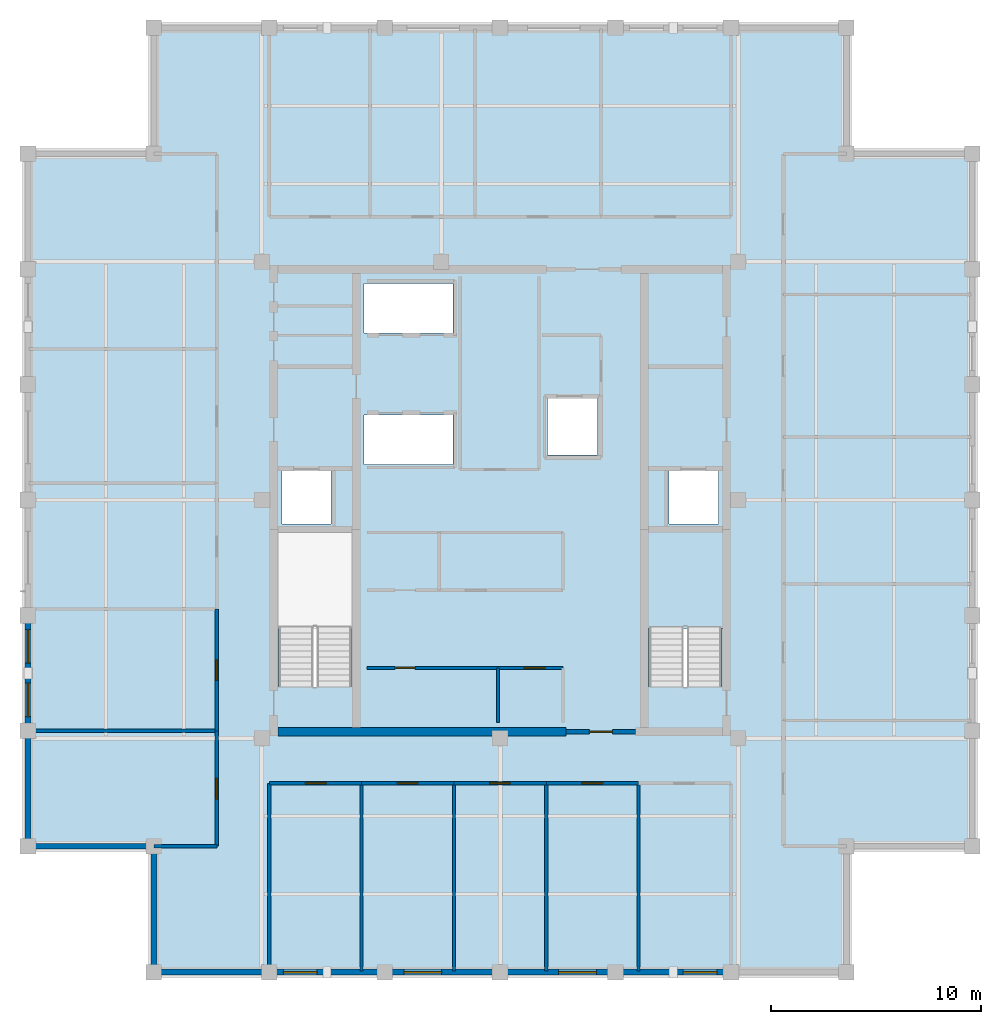
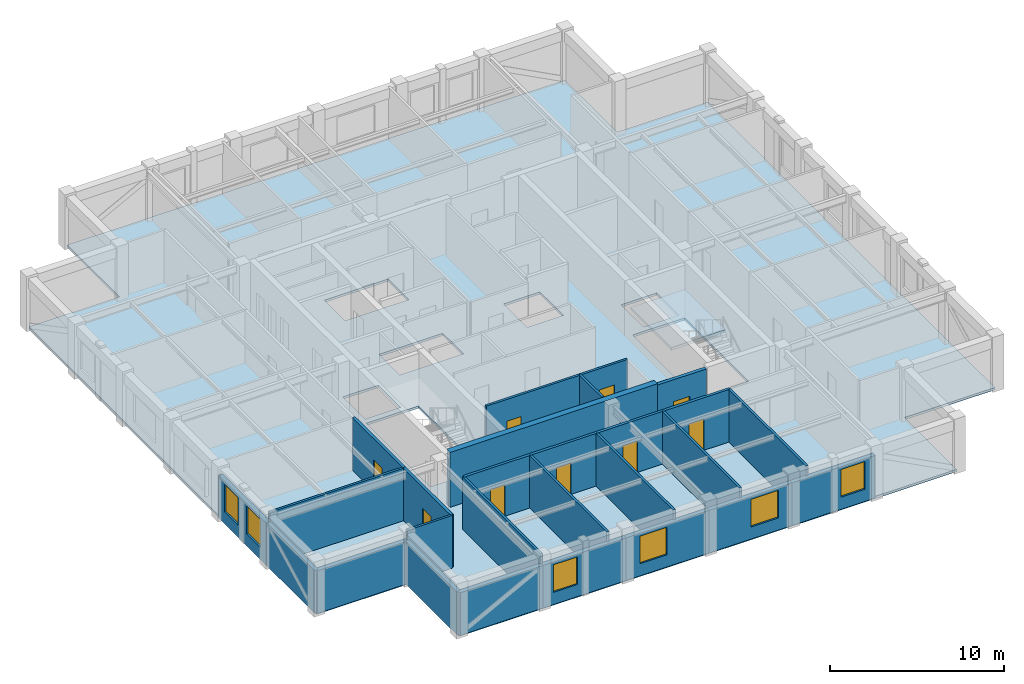
# One storey, part 3 of 8: 26 walls, 9 doors, 6 windows, 2 slabs, 15 openings, 1 element without a shape of its own.
"""IFC4 building model written with IfcOpenShell, lengths in metres."""

from ifc_helpers import new_model, si_unit, direction, frame, frame_2d, origin, place, context, subcontext, project, spatial, polyline, rectangle, outline, extrude, material, layer, layer_set, type_object, element, fill, aggregate, save


model = new_model("IFC4")

# Units and contexts
model_context = context("Model", 3, precision=1e-05, world=origin(), true_north=direction((0.0, 1.0)))
body_context = subcontext(model_context, "Body", "Model", "MODEL_VIEW")
ifc_project = project(units=[si_unit("LENGTHUNIT", "METRE"), si_unit("AREAUNIT", "SQUARE_METRE"), si_unit("VOLUMEUNIT", "CUBIC_METRE"), si_unit("PLANEANGLEUNIT", "RADIAN"), si_unit("MASSUNIT", "GRAM", prefix="KILO")], contexts=[model_context])

# Site, building, storey
site_placement = place(None, origin())
site = spatial("IfcSite", under=ifc_project, at=site_placement, CompositionType="ELEMENT")
building_placement = place(site_placement, origin())
building = spatial("IfcBuilding", under=site, at=building_placement, Name="Nhamokura Convention Tower", CompositionType="ELEMENT")
storey_placement = place(building_placement, frame((0.0, 0.0, 292.949951171875)))
storey = spatial("IfcBuildingStorey", under=building, at=storey_placement, Name="L72", CompositionType="ELEMENT", Elevation=292.949951171875)

# Slab
ifc_material_1 = material(Name="Concrete C40/50", Category="concrete")
ifc_layer_1 = layer(ifc_material_1, 0.1650390625)
ifc_layer_set_1 = layer_set([ifc_layer_1], Name="OfficeFloorSlab_165")
slab_type_1 = type_object("IfcSlabType", Name="OfficeFloorSlab_165", PredefinedType="FLOOR", material=ifc_layer_set_1)
slab_1_placement = place(storey_placement, frame((0.0, 0.0, -0.1650390625)))
element("IfcSlab", 1, at=slab_1_placement, inside=storey, type_object=slab_type_1, Name="L72 Structural Floor Slab", PredefinedType="FLOOR", context=body_context, shape_type="SweptSolid", body=[
    extrude(outline(polyline([(15.5, 9.5), (48.5, 9.5), (48.5, 15.5), (54.5, 15.5), (54.5, 48.5), (48.5, 48.5), (48.5, 54.5), (15.5, 54.5), (15.5, 48.5), (9.5, 48.5), (9.5, 15.5), (15.5, 15.5), (15.5, 9.5)]), holes=[polyline([(24.89990234375, 23.10009765625), (24.89990234375, 30.449951171875), (21.449951171875, 30.449951171875), (21.449951171875, 23.10009765625), (24.89990234375, 23.10009765625)]), polyline([(42.550048828125, 23.10009765625), (42.550048828125, 30.449951171875), (39.10009765625, 30.449951171875), (39.10009765625, 23.10009765625), (42.550048828125, 23.10009765625)]), polyline([(21.60009765625, 30.85009765625), (23.949951171875, 30.85009765625), (23.949951171875, 33.39990234375), (21.60009765625, 33.39990234375), (21.60009765625, 30.85009765625)]), polyline([(40.050048828125, 30.85009765625), (42.39990234375, 30.85009765625), (42.39990234375, 33.39990234375), (40.050048828125, 33.39990234375), (40.050048828125, 30.85009765625)]), polyline([(34.25, 34.14990234375), (36.64990234375, 34.14990234375), (36.64990234375, 36.85009765625), (34.25, 36.85009765625), (34.25, 34.14990234375)]), polyline([(25.52001953125, 33.679931640625), (29.75, 33.679931640625), (29.75, 36.050048828125), (25.52001953125, 36.050048828125), (25.52001953125, 33.679931640625)]), polyline([(25.52001953125, 39.949951171875), (29.75, 39.949951171875), (29.75, 42.320068359375), (25.52001953125, 42.320068359375), (25.52001953125, 39.949951171875)])]), origin(), (0.0, 0.0, 1.0), 0.1650390625),
])

# Stair, slab
ifc_material_2 = material(Name="Concrete C40/50", Category="concrete")
stair_type = type_object("IfcStairType", Name="TowerCoreStair_1650", PredefinedType="HALF_TURN_STAIR", material=ifc_material_2)
stair_placement = place(storey_placement, origin())
stair = element("IfcStair", 2, at=stair_placement, inside=storey, type_object=stair_type, Name="L72 East Core Smokeproof Stair ST-02", PredefinedType="HALF_TURN_STAIR")
ifc_material_3 = material(Name="Concrete C40/50", Category="concrete")
ifc_layer_2 = layer(ifc_material_3, 0.199951171875)
ifc_layer_set_2 = layer_set([ifc_layer_2], Name="StairLandingSlab_200")
slab_type_2 = type_object("IfcSlabType", Name="StairLandingSlab_200", PredefinedType="LANDING", material=ifc_layer_set_2)
slab_2_placement = place(storey_placement, frame((0.0, 0.0, 1.72509765625)))
slab_2 = element("IfcSlab", 3, at=slab_2_placement, type_object=slab_type_2, Name="ST-02 landing 1", PredefinedType="LANDING", context=body_context, shape_type="SweptSolid", body=[
    extrude(outline(polyline([(42.6298828125, 25.8701171875), (42.6298828125, 30.530029296875), (39.02001953125, 30.530029296875), (39.02001953125, 25.8701171875), (42.6298828125, 25.8701171875)])), origin(), (0.0, 0.0, 1.0), 0.199951171875),
])
aggregate(stair, [slab_2])

# Wall
ifc_material_4 = material(Name="Bronze-pigmented precast concrete C45/55", Category="concrete")
ifc_layer_3 = layer(ifc_material_4, 0.280029296875)
ifc_layer_set_3 = layer_set([ifc_layer_3], Name="BronzePrecastSpandrel_280")
wall_type_1 = type_object("IfcWallType", Name="BronzePrecastSpandrel_280", PredefinedType="USERDEFINED", material=ifc_layer_set_3)
wall_1_placement = place(storey_placement, frame((21.0, 9.5, 0.0), z_axis=(0.0, 0.0, 1.0), x_axis=(-1.0, 0.0, 0.0)))
element("IfcWall", 4, at=wall_1_placement, inside=storey, type_object=wall_type_1, Name="L72 Braced-Bay Precast Wall SOUTH 0", ObjectType="SPANDREL_WALL", PredefinedType="USERDEFINED", context=body_context, shape_type="SweptSolid", body=[
    extrude(rectangle(XDim=5.5, YDim=0.280029296875, at=frame_2d((2.75, 0.0))), origin(), (0.0, 0.0, 1.0), 2.985107421875),
])

# Wall, opening, window
wall_2_placement = place(storey_placement, frame((26.5, 9.5, 0.0), z_axis=(0.0, 0.0, 1.0), x_axis=(-1.0, 0.0, 0.0)))
wall_2 = element("IfcWall", 5, at=wall_2_placement, inside=storey, type_object=wall_type_1, Name="L72 Masonry-Frame Wall SOUTH 1", ObjectType="SPANDREL_WALL", PredefinedType="USERDEFINED", context=body_context, shape_type="SweptSolid", body=[
    extrude(rectangle(XDim=5.5, YDim=0.280029296875, at=frame_2d((2.75, 0.0))), origin(), (0.0, 0.0, 1.0), 2.985107421875),
])
opening_1_placement = place(wall_2_placement, frame((3.22509765625, 0.0, 0.85009765625)))
opening_1 = element("IfcOpeningElement", 6, at=opening_1_placement, cuts=wall_2, Name="Opening W-11", PredefinedType="OPENING", context=body_context, shape_type="SweptSolid", body=[
    extrude(rectangle(XDim=1.60009765625, YDim=1.93505859375, at=frame_2d((0.800048828125, 0.967529296875))), frame((0.0, 0.14990234375, 0.0), z_axis=(0.0, -1.0, 0.0), x_axis=(1.0, 0.0, 0.0)), (0.0, 0.0, 1.0), 0.300048828125),
])
ifc_material_5 = material(Name="Solar-control bronze low-E double glass", Category="glass")
window_type_1 = type_object("IfcWindowType", Name="NotchCornerWindow_1600", PartitioningType="SINGLE_PANEL", PredefinedType="WINDOW", material=ifc_material_5)
window_1_placement = place(opening_1_placement, origin())
window_1 = element("IfcWindow", 7, at=window_1_placement, inside=storey, type_object=window_type_1, Name="L72 Facade Window SOUTH 1-3", OverallHeight=1.93505859375, OverallWidth=1.60009765625, PartitioningType="SINGLE_PANEL", PredefinedType="WINDOW", context=body_context, shape_type="SweptSolid", body=[
    extrude(rectangle(XDim=1.60009765625, YDim=1.93505859375, at=frame_2d((0.800048828125, 0.967529296875))), frame((0.0, 0.030029296875, 0.0), z_axis=(0.0, -1.0, 0.0), x_axis=(1.0, 0.0, 0.0)), (0.0, 0.0, 1.0), 0.06005859375),
])
fill(opening_1, window_1)

wall_3_placement = place(storey_placement, frame((32.0, 9.5, 0.0), z_axis=(0.0, 0.0, 1.0), x_axis=(-1.0, 0.0, 0.0)))
wall_3 = element("IfcWall", 8, at=wall_3_placement, inside=storey, type_object=wall_type_1, Name="L72 Masonry-Frame Wall SOUTH 2", ObjectType="SPANDREL_WALL", PredefinedType="USERDEFINED", context=body_context, shape_type="SweptSolid", body=[
    extrude(rectangle(XDim=5.5, YDim=0.280029296875, at=frame_2d((2.75, 0.0))), origin(), (0.0, 0.0, 1.0), 2.985107421875),
])
opening_2_placement = place(wall_3_placement, frame((2.78759765625, 0.0, 0.85009765625)))
opening_2 = element("IfcOpeningElement", 9, at=opening_2_placement, cuts=wall_3, Name="Opening W-10", PredefinedType="OPENING", context=body_context, shape_type="SweptSolid", body=[
    extrude(rectangle(XDim=1.800048828125, YDim=1.93505859375, at=frame_2d((0.89990234375, 0.967529296875))), frame((0.0, 0.14990234375, 0.0), z_axis=(0.0, -1.0, 0.0), x_axis=(1.0, 0.0, 0.0)), (0.0, 0.0, 1.0), 0.300048828125),
])
ifc_material_6 = material(Name="Solar-control bronze low-E double glass", Category="glass")
window_type_2 = type_object("IfcWindowType", Name="SummitWindow_Z4_1800", PartitioningType="SINGLE_PANEL", PredefinedType="WINDOW", material=ifc_material_6)
window_2_placement = place(opening_2_placement, origin())
window_2 = element("IfcWindow", 10, at=window_2_placement, inside=storey, type_object=window_type_2, Name="L72 Facade Window SOUTH 2-2", OverallHeight=1.93505859375, OverallWidth=1.800048828125, PartitioningType="SINGLE_PANEL", PredefinedType="WINDOW", context=body_context, shape_type="SweptSolid", body=[
    extrude(rectangle(XDim=1.800048828125, YDim=1.93505859375, at=frame_2d((0.89990234375, 0.967529296875))), frame((0.0, 0.030029296875, 0.0), z_axis=(0.0, -1.0, 0.0), x_axis=(1.0, 0.0, 0.0)), (0.0, 0.0, 1.0), 0.06005859375),
])
fill(opening_2, window_2)

wall_4_placement = place(storey_placement, frame((37.5, 9.5, 0.0), z_axis=(0.0, 0.0, 1.0), x_axis=(-1.0, 0.0, 0.0)))
wall_4 = element("IfcWall", 11, at=wall_4_placement, inside=storey, type_object=wall_type_1, Name="L72 Masonry-Frame Wall SOUTH 3", ObjectType="SPANDREL_WALL", PredefinedType="USERDEFINED", context=body_context, shape_type="SweptSolid", body=[
    extrude(rectangle(XDim=5.5, YDim=0.280029296875, at=frame_2d((2.75, 0.0))), origin(), (0.0, 0.0, 1.0), 2.985107421875),
])
opening_3_placement = place(wall_4_placement, frame((0.91259765625, 0.0, 0.85009765625)))
opening_3 = element("IfcOpeningElement", 12, at=opening_3_placement, cuts=wall_4, Name="Opening W-10", PredefinedType="OPENING", context=body_context, shape_type="SweptSolid", body=[
    extrude(rectangle(XDim=1.800048828125, YDim=1.93505859375, at=frame_2d((0.89990234375, 0.967529296875))), frame((0.0, 0.14990234375, 0.0), z_axis=(0.0, -1.0, 0.0), x_axis=(1.0, 0.0, 0.0)), (0.0, 0.0, 1.0), 0.300048828125),
])
window_3_placement = place(opening_3_placement, origin())
window_3 = element("IfcWindow", 13, at=window_3_placement, inside=storey, type_object=window_type_2, Name="L72 Facade Window SOUTH 3-1", OverallHeight=1.93505859375, OverallWidth=1.800048828125, PartitioningType="SINGLE_PANEL", PredefinedType="WINDOW", context=body_context, shape_type="SweptSolid", body=[
    extrude(rectangle(XDim=1.800048828125, YDim=1.93505859375, at=frame_2d((0.89990234375, 0.967529296875))), frame((0.0, 0.030029296875, 0.0), z_axis=(0.0, -1.0, 0.0), x_axis=(1.0, 0.0, 0.0)), (0.0, 0.0, 1.0), 0.06005859375),
])
fill(opening_3, window_3)

wall_5_placement = place(storey_placement, frame((43.0, 9.5, 0.0), z_axis=(0.0, 0.0, 1.0), x_axis=(-1.0, 0.0, 0.0)))
wall_5 = element("IfcWall", 14, at=wall_5_placement, inside=storey, type_object=wall_type_1, Name="L72 Masonry-Frame Wall SOUTH 4", ObjectType="SPANDREL_WALL", PredefinedType="USERDEFINED", context=body_context, shape_type="SweptSolid", body=[
    extrude(rectangle(XDim=5.5, YDim=0.280029296875, at=frame_2d((2.75, 0.0))), origin(), (0.0, 0.0, 1.0), 2.985107421875),
])
opening_4_placement = place(wall_5_placement, frame((0.675048828125, 0.0, 0.85009765625)))
opening_4 = element("IfcOpeningElement", 15, at=opening_4_placement, cuts=wall_5, Name="Opening W-11", PredefinedType="OPENING", context=body_context, shape_type="SweptSolid", body=[
    extrude(rectangle(XDim=1.60009765625, YDim=1.93505859375, at=frame_2d((0.800048828125, 0.967529296875))), frame((0.0, 0.14990234375, 0.0), z_axis=(0.0, -1.0, 0.0), x_axis=(1.0, 0.0, 0.0)), (0.0, 0.0, 1.0), 0.300048828125),
])
window_4_placement = place(opening_4_placement, origin())
window_4 = element("IfcWindow", 16, at=window_4_placement, inside=storey, type_object=window_type_1, Name="L72 Facade Window SOUTH 4-1", OverallHeight=1.93505859375, OverallWidth=1.60009765625, PartitioningType="SINGLE_PANEL", PredefinedType="WINDOW", context=body_context, shape_type="SweptSolid", body=[
    extrude(rectangle(XDim=1.60009765625, YDim=1.93505859375, at=frame_2d((0.800048828125, 0.967529296875))), frame((0.0, 0.030029296875, 0.0), z_axis=(0.0, -1.0, 0.0), x_axis=(1.0, 0.0, 0.0)), (0.0, 0.0, 1.0), 0.06005859375),
])
fill(opening_4, window_4)

# Wall
wall_6_placement = place(storey_placement, frame((9.5, 15.5, 0.0), z_axis=(0.0, 0.0, 1.0), x_axis=(0.0, 1.0, 0.0)))
element("IfcWall", 17, at=wall_6_placement, inside=storey, type_object=wall_type_1, Name="L72 Braced-Bay Precast Wall WEST 0", ObjectType="SPANDREL_WALL", PredefinedType="USERDEFINED", context=body_context, shape_type="SweptSolid", body=[
    extrude(rectangle(XDim=5.5, YDim=0.280029296875, at=frame_2d((2.75, 0.0))), origin(), (0.0, 0.0, 1.0), 2.985107421875),
])

# Wall, openings, windows
wall_7_placement = place(storey_placement, frame((9.5, 21.0, 0.0), z_axis=(0.0, 0.0, 1.0), x_axis=(0.0, 1.0, 0.0)))
wall_7 = element("IfcWall", 18, at=wall_7_placement, inside=storey, type_object=wall_type_1, Name="L72 Masonry-Frame Wall WEST 1", ObjectType="SPANDREL_WALL", PredefinedType="USERDEFINED", context=body_context, shape_type="SweptSolid", body=[
    extrude(rectangle(XDim=5.5, YDim=0.280029296875, at=frame_2d((2.75, 0.0))), origin(), (0.0, 0.0, 1.0), 2.985107421875),
])
opening_5_placement = place(wall_7_placement, frame((0.675048828125, 0.0, 0.85009765625)))
opening_5 = element("IfcOpeningElement", 19, at=opening_5_placement, cuts=wall_7, Name="Opening W-11", PredefinedType="OPENING", context=body_context, shape_type="SweptSolid", body=[
    extrude(rectangle(XDim=1.60009765625, YDim=1.93505859375, at=frame_2d((0.800048828125, 0.967529296875))), frame((0.0, 0.14990234375, 0.0), z_axis=(0.0, -1.0, 0.0), x_axis=(1.0, 0.0, 0.0)), (0.0, 0.0, 1.0), 0.300048828125),
])
opening_6_placement = place(wall_7_placement, frame((3.22509765625, 0.0, 0.85009765625)))
opening_6 = element("IfcOpeningElement", 20, at=opening_6_placement, cuts=wall_7, Name="Opening W-11", PredefinedType="OPENING", context=body_context, shape_type="SweptSolid", body=[
    extrude(rectangle(XDim=1.60009765625, YDim=1.93505859375, at=frame_2d((0.800048828125, 0.967529296875))), frame((0.0, 0.14990234375, 0.0), z_axis=(0.0, -1.0, 0.0), x_axis=(1.0, 0.0, 0.0)), (0.0, 0.0, 1.0), 0.300048828125),
])
window_5_placement = place(opening_5_placement, origin())
window_5 = element("IfcWindow", 21, at=window_5_placement, inside=storey, type_object=window_type_1, Name="L72 Facade Window WEST 1-1", OverallHeight=1.93505859375, OverallWidth=1.60009765625, PartitioningType="SINGLE_PANEL", PredefinedType="WINDOW", context=body_context, shape_type="SweptSolid", body=[
    extrude(rectangle(XDim=1.60009765625, YDim=1.93505859375, at=frame_2d((0.800048828125, 0.967529296875))), frame((0.0, 0.030029296875, 0.0), z_axis=(0.0, -1.0, 0.0), x_axis=(1.0, 0.0, 0.0)), (0.0, 0.0, 1.0), 0.06005859375),
])
fill(opening_5, window_5)
window_6_placement = place(opening_6_placement, origin())
window_6 = element("IfcWindow", 22, at=window_6_placement, inside=storey, type_object=window_type_1, Name="L72 Facade Window WEST 1-2", OverallHeight=1.93505859375, OverallWidth=1.60009765625, PartitioningType="SINGLE_PANEL", PredefinedType="WINDOW", context=body_context, shape_type="SweptSolid", body=[
    extrude(rectangle(XDim=1.60009765625, YDim=1.93505859375, at=frame_2d((0.800048828125, 0.967529296875))), frame((0.0, 0.030029296875, 0.0), z_axis=(0.0, -1.0, 0.0), x_axis=(1.0, 0.0, 0.0)), (0.0, 0.0, 1.0), 0.06005859375),
])
fill(opening_6, window_6)

# Walls
for number, where, z_axis, x_axis, name in (
    (23, (15.5, 9.5, 0.0), (0.0, 0.0, 1.0), (0.0, 1.0, 0.0), "L72 Notched Corner Wall SW1"),
    (24, (15.5, 15.5, 0.0), (0.0, 0.0, 1.0), (-1.0, 0.0, 0.0), "L72 Notched Corner Wall SW2"),
):
    element("IfcWall", number, at=place(storey_placement, frame(where, z_axis=z_axis, x_axis=x_axis)), inside=storey, type_object=wall_type_1, Name=name, ObjectType="SPANDREL_WALL", PredefinedType="USERDEFINED", context=body_context, shape_type="SweptSolid", body=[
        extrude(rectangle(XDim=6.0, YDim=0.280029296875, at=frame_2d((3.0, 0.0))), origin(), (0.0, 0.0, 1.0), 2.985107421875),
    ])
ifc_material_7 = material(Name="Concrete C50/60", Category="concrete")
ifc_layer_4 = layer(ifc_material_7, 0.39990234375)
ifc_layer_set_4 = layer_set([ifc_layer_4], Name="CoreShearWall_400")
wall_type_2 = type_object("IfcWallType", Name="CoreShearWall_400", PredefinedType="SHEAR", material=ifc_layer_set_4)
wall_8_placement = place(storey_placement, frame((21.409912109375, 20.949951171875, 0.0), z_axis=(0.0, 0.0, 1.0), x_axis=(1.0, 0.0, 0.0)))
element("IfcWall", 25, at=wall_8_placement, inside=storey, type_object=wall_type_2, Name="L72 Core Shear Wall CW-S1", PredefinedType="SHEAR", context=body_context, shape_type="SweptSolid", body=[
    extrude(rectangle(XDim=13.739990234375, YDim=0.39990234375, at=frame_2d((6.8701171875, 0.0))), origin(), (0.0, 0.0, 1.0), 3.85009765625),
])

# Wall, opening, door
ifc_material_8 = material(Name="Fire-rated gypsum and masonry partition", Category="masonry")
ifc_layer_5 = layer(ifc_material_8, 0.179931640625)
ifc_layer_set_5 = layer_set([ifc_layer_5], Name="CorridorRatedWall_180")
wall_type_3 = type_object("IfcWallType", Name="CorridorRatedWall_180", PredefinedType="STANDARD", material=ifc_layer_set_5)
wall_9_placement = place(storey_placement, frame((21.0, 18.5, 0.0), z_axis=(0.0, 0.0, 1.0), x_axis=(1.0, 0.0, 0.0)))
wall_9 = element("IfcWall", 26, at=wall_9_placement, inside=storey, type_object=wall_type_3, Name="L72 Wall INT-L72-CW-S00", PredefinedType="STANDARD", context=body_context, shape_type="SweptSolid", body=[
    extrude(rectangle(XDim=4.39990234375, YDim=0.179931640625, at=frame_2d((2.199951171875, 0.0))), origin(), (0.0, 0.0, 1.0), 3.68505859375),
])
opening_7_placement = place(wall_9_placement, frame((1.72509765625, 0.0, 0.0)))
opening_7 = element("IfcOpeningElement", 27, at=opening_7_placement, cuts=wall_9, Name="Opening D-08", PredefinedType="OPENING", context=body_context, shape_type="SweptSolid", body=[
    extrude(rectangle(XDim=0.97998046875, YDim=2.199951171875, at=frame_2d((0.489990234375, 1.10009765625))), frame((0.0, 0.099853515625, 0.0), z_axis=(0.0, -1.0, 0.0), x_axis=(1.0, 0.0, 0.0)), (0.0, 0.0, 1.0), 0.199951171875),
])
ifc_material_9 = material(Name="Solid oak hardwood", Category="wood")
door_type_1 = type_object("IfcDoorType", Name="OfficeEntryDoor_980", OperationType="NOTDEFINED", PredefinedType="DOOR", material=ifc_material_9)
door_1_placement = place(opening_7_placement, origin())
door_1 = element("IfcDoor", 28, at=door_1_placement, inside=storey, type_object=door_type_1, Name="L72 Meeting Room S01 Door", OperationType="SINGLE_SWING_LEFT", OverallHeight=2.199951171875, OverallWidth=0.97998046875, PredefinedType="DOOR", context=body_context, shape_type="SweptSolid", body=[
    extrude(rectangle(XDim=0.97998046875, YDim=2.199951171875, at=frame_2d((0.489990234375, 1.10009765625))), frame((0.0, 0.02490234375, 0.0), z_axis=(0.0, -1.0, 0.0), x_axis=(1.0, 0.0, 0.0)), (0.0, 0.0, 1.0), 0.050048828125),
])
fill(opening_7, door_1)

wall_10_placement = place(storey_placement, frame((25.39990234375, 18.5, 0.0), z_axis=(0.0, 0.0, 1.0), x_axis=(1.0, 0.0, 0.0)))
wall_10 = element("IfcWall", 29, at=wall_10_placement, inside=storey, type_object=wall_type_3, Name="L72 Wall INT-L72-CW-S01", PredefinedType="STANDARD", context=body_context, shape_type="SweptSolid", body=[
    extrude(rectangle(XDim=4.400146484375, YDim=0.179931640625, at=frame_2d((2.2001953125, 0.0))), origin(), (0.0, 0.0, 1.0), 3.68505859375),
])
opening_8_placement = place(wall_10_placement, frame((1.699951171875, 0.0, 0.0)))
opening_8 = element("IfcOpeningElement", 30, at=opening_8_placement, cuts=wall_10, Name="Opening D-08", PredefinedType="OPENING", context=body_context, shape_type="SweptSolid", body=[
    extrude(rectangle(XDim=0.97998046875, YDim=2.199951171875, at=frame_2d((0.489990234375, 1.10009765625))), frame((0.0, 0.099853515625, 0.0), z_axis=(0.0, -1.0, 0.0), x_axis=(1.0, 0.0, 0.0)), (0.0, 0.0, 1.0), 0.199951171875),
])
door_2_placement = place(opening_8_placement, origin())
door_2 = element("IfcDoor", 31, at=door_2_placement, inside=storey, type_object=door_type_1, Name="L72 Private Office S02 Door", OperationType="SINGLE_SWING_RIGHT", OverallHeight=2.199951171875, OverallWidth=0.97998046875, PredefinedType="DOOR", context=body_context, shape_type="SweptSolid", body=[
    extrude(rectangle(XDim=0.97998046875, YDim=2.199951171875, at=frame_2d((0.489990234375, 1.10009765625))), frame((0.0, 0.02490234375, 0.0), z_axis=(0.0, -1.0, 0.0), x_axis=(1.0, 0.0, 0.0)), (0.0, 0.0, 1.0), 0.050048828125),
])
fill(opening_8, door_2)

wall_11_placement = place(storey_placement, frame((29.800048828125, 18.5, 0.0), z_axis=(0.0, 0.0, 1.0), x_axis=(1.0, 0.0, 0.0)))
wall_11 = element("IfcWall", 32, at=wall_11_placement, inside=storey, type_object=wall_type_3, Name="L72 Wall INT-L72-CW-S02", PredefinedType="STANDARD", context=body_context, shape_type="SweptSolid", body=[
    extrude(rectangle(XDim=4.39990234375, YDim=0.179931640625, at=frame_2d((2.199951171875, 0.0))), origin(), (0.0, 0.0, 1.0), 3.68505859375),
])
opening_9_placement = place(wall_11_placement, frame((1.699951171875, 0.0, 0.0)))
opening_9 = element("IfcOpeningElement", 33, at=opening_9_placement, cuts=wall_11, Name="Opening D-08", PredefinedType="OPENING", context=body_context, shape_type="SweptSolid", body=[
    extrude(rectangle(XDim=0.97998046875, YDim=2.199951171875, at=frame_2d((0.489990234375, 1.10009765625))), frame((0.0, 0.099853515625, 0.0), z_axis=(0.0, -1.0, 0.0), x_axis=(1.0, 0.0, 0.0)), (0.0, 0.0, 1.0), 0.199951171875),
])
door_3_placement = place(opening_9_placement, origin())
door_3 = element("IfcDoor", 34, at=door_3_placement, inside=storey, type_object=door_type_1, Name="L72 Boardroom S03 Door", OperationType="SINGLE_SWING_LEFT", OverallHeight=2.199951171875, OverallWidth=0.97998046875, PredefinedType="DOOR", context=body_context, shape_type="SweptSolid", body=[
    extrude(rectangle(XDim=0.97998046875, YDim=2.199951171875, at=frame_2d((0.489990234375, 1.10009765625))), frame((0.0, 0.02490234375, 0.0), z_axis=(0.0, -1.0, 0.0), x_axis=(1.0, 0.0, 0.0)), (0.0, 0.0, 1.0), 0.050048828125),
])
fill(opening_9, door_3)

wall_12_placement = place(storey_placement, frame((34.199951171875, 18.5, 0.0), z_axis=(0.0, 0.0, 1.0), x_axis=(1.0, 0.0, 0.0)))
wall_12 = element("IfcWall", 35, at=wall_12_placement, inside=storey, type_object=wall_type_3, Name="L72 Wall INT-L72-CW-S03", PredefinedType="STANDARD", context=body_context, shape_type="SweptSolid", body=[
    extrude(rectangle(XDim=4.400146484375, YDim=0.179931640625, at=frame_2d((2.2001953125, 0.0))), origin(), (0.0, 0.0, 1.0), 3.68505859375),
])
opening_10_placement = place(wall_12_placement, frame((1.699951171875, 0.0, 0.0)))
opening_10 = element("IfcOpeningElement", 36, at=opening_10_placement, cuts=wall_12, Name="Opening D-08", PredefinedType="OPENING", context=body_context, shape_type="SweptSolid", body=[
    extrude(rectangle(XDim=0.97998046875, YDim=2.199951171875, at=frame_2d((0.489990234375, 1.10009765625))), frame((0.0, 0.099853515625, 0.0), z_axis=(0.0, -1.0, 0.0), x_axis=(1.0, 0.0, 0.0)), (0.0, 0.0, 1.0), 0.199951171875),
])
door_4_placement = place(opening_10_placement, origin())
door_4 = element("IfcDoor", 37, at=door_4_placement, inside=storey, type_object=door_type_1, Name="L72 Meeting Room S04 Door", OperationType="SINGLE_SWING_RIGHT", OverallHeight=2.199951171875, OverallWidth=0.97998046875, PredefinedType="DOOR", context=body_context, shape_type="SweptSolid", body=[
    extrude(rectangle(XDim=0.97998046875, YDim=2.199951171875, at=frame_2d((0.489990234375, 1.10009765625))), frame((0.0, 0.02490234375, 0.0), z_axis=(0.0, -1.0, 0.0), x_axis=(1.0, 0.0, 0.0)), (0.0, 0.0, 1.0), 0.050048828125),
])
fill(opening_10, door_4)

wall_13_placement = place(storey_placement, frame((18.5, 15.5, 0.0), z_axis=(0.0, 0.0, 1.0), x_axis=(0.0, 1.0, 0.0)))
wall_13 = element("IfcWall", 38, at=wall_13_placement, inside=storey, type_object=wall_type_3, Name="L72 Wall INT-L72-CW-W00", PredefinedType="STANDARD", context=body_context, shape_type="SweptSolid", body=[
    extrude(rectangle(XDim=5.5, YDim=0.179931640625, at=frame_2d((2.75, 0.0))), origin(), (0.0, 0.0, 1.0), 3.68505859375),
])
opening_11_placement = place(wall_13_placement, frame((2.25, 0.0, 0.0)))
opening_11 = element("IfcOpeningElement", 39, at=opening_11_placement, cuts=wall_13, Name="Opening D-08", PredefinedType="OPENING", context=body_context, shape_type="SweptSolid", body=[
    extrude(rectangle(XDim=0.97998046875, YDim=2.199951171875, at=frame_2d((0.489990234375, 1.10009765625))), frame((0.0, 0.099853515625, 0.0), z_axis=(0.0, -1.0, 0.0), x_axis=(1.0, 0.0, 0.0)), (0.0, 0.0, 1.0), 0.199951171875),
])
door_5_placement = place(opening_11_placement, origin())
door_5 = element("IfcDoor", 40, at=door_5_placement, inside=storey, type_object=door_type_1, Name="L72 Meeting Room W01 Door", OperationType="SINGLE_SWING_LEFT", OverallHeight=2.199951171875, OverallWidth=0.97998046875, PredefinedType="DOOR", context=body_context, shape_type="SweptSolid", body=[
    extrude(rectangle(XDim=0.97998046875, YDim=2.199951171875, at=frame_2d((0.489990234375, 1.10009765625))), frame((0.0, 0.02490234375, 0.0), z_axis=(0.0, -1.0, 0.0), x_axis=(1.0, 0.0, 0.0)), (0.0, 0.0, 1.0), 0.050048828125),
])
fill(opening_11, door_5)

wall_14_placement = place(storey_placement, frame((18.5, 21.0, 0.0), z_axis=(0.0, 0.0, 1.0), x_axis=(0.0, 1.0, 0.0)))
wall_14 = element("IfcWall", 41, at=wall_14_placement, inside=storey, type_object=wall_type_3, Name="L72 Wall INT-L72-CW-W01", PredefinedType="STANDARD", context=body_context, shape_type="SweptSolid", body=[
    extrude(rectangle(XDim=5.800048828125, YDim=0.179931640625, at=frame_2d((2.89990234375, 0.0))), origin(), (0.0, 0.0, 1.0), 3.68505859375),
])
opening_12_placement = place(wall_14_placement, frame((2.39990234375, 0.0, 0.0)))
opening_12 = element("IfcOpeningElement", 42, at=opening_12_placement, cuts=wall_14, Name="Opening D-08", PredefinedType="OPENING", context=body_context, shape_type="SweptSolid", body=[
    extrude(rectangle(XDim=0.97998046875, YDim=2.199951171875, at=frame_2d((0.489990234375, 1.10009765625))), frame((0.0, 0.099853515625, 0.0), z_axis=(0.0, -1.0, 0.0), x_axis=(1.0, 0.0, 0.0)), (0.0, 0.0, 1.0), 0.199951171875),
])
door_6_placement = place(opening_12_placement, origin())
door_6 = element("IfcDoor", 43, at=door_6_placement, inside=storey, type_object=door_type_1, Name="L72 Private Office W02 Door", OperationType="SINGLE_SWING_RIGHT", OverallHeight=2.199951171875, OverallWidth=0.97998046875, PredefinedType="DOOR", context=body_context, shape_type="SweptSolid", body=[
    extrude(rectangle(XDim=0.97998046875, YDim=2.199951171875, at=frame_2d((0.489990234375, 1.10009765625))), frame((0.0, 0.02490234375, 0.0), z_axis=(0.0, -1.0, 0.0), x_axis=(1.0, 0.0, 0.0)), (0.0, 0.0, 1.0), 0.050048828125),
])
fill(opening_12, door_6)

ifc_material_10 = material(Name="Autoclaved concrete blockwork", Category="masonry")
ifc_layer_6 = layer(ifc_material_10, 0.219970703125)
ifc_layer_set_6 = layer_set([ifc_layer_6], Name="FireLobbyWall_220")
wall_type_4 = type_object("IfcWallType", Name="FireLobbyWall_220", PredefinedType="STANDARD", material=ifc_layer_set_6)
wall_15_placement = place(storey_placement, frame((35.14990234375, 20.949951171875, 0.0), z_axis=(0.0, 0.0, 1.0), x_axis=(1.0, 0.0, 0.0)))
wall_15 = element("IfcWall", 44, at=wall_15_placement, inside=storey, type_object=wall_type_4, Name="L72 Wall INT-L72-SPORT-S", PredefinedType="STANDARD", context=body_context, shape_type="SweptSolid", body=[
    extrude(rectangle(XDim=3.300048828125, YDim=0.219970703125, at=frame_2d((1.64990234375, 0.0))), origin(), (0.0, 0.0, 1.0), 3.68505859375),
])
opening_13_placement = place(wall_15_placement, frame((1.10009765625, 0.0, 0.0)))
opening_13 = element("IfcOpeningElement", 45, at=opening_13_placement, cuts=wall_15, Name="Opening D-05", PredefinedType="OPENING", context=body_context, shape_type="SweptSolid", body=[
    extrude(rectangle(XDim=1.10009765625, YDim=2.14990234375, at=frame_2d((0.550048828125, 1.074951171875))), frame((0.0, 0.119873046875, 0.0), z_axis=(0.0, -1.0, 0.0), x_axis=(1.0, 0.0, 0.0)), (0.0, 0.0, 1.0), 0.239990234375),
])
ifc_material_11 = material(Name="Fire-rated steel door", Category="steel")
door_type_2 = type_object("IfcDoorType", Name="FireLobbyDoor_1100", OperationType="NOTDEFINED", PredefinedType="DOOR", material=ifc_material_11)
door_7_placement = place(opening_13_placement, origin())
door_7 = element("IfcDoor", 46, at=door_7_placement, inside=storey, type_object=door_type_2, Name="L72 South Core Lobby Portal Door", OperationType="SINGLE_SWING_LEFT", OverallHeight=2.14990234375, OverallWidth=1.10009765625, PredefinedType="DOOR", context=body_context, shape_type="SweptSolid", body=[
    extrude(rectangle(XDim=1.10009765625, YDim=2.14990234375, at=frame_2d((0.550048828125, 1.074951171875))), frame((0.0, 0.02490234375, 0.0), z_axis=(0.0, -1.0, 0.0), x_axis=(1.0, 0.0, 0.0)), (0.0, 0.0, 1.0), 0.050048828125),
])
fill(opening_13, door_7)

# Wall, openings, doors
ifc_material_12 = material(Name="Acoustic gypsum stud partition", Category="masonry")
ifc_layer_7 = layer(ifc_material_12, 0.14990234375)
ifc_layer_set_7 = layer_set([ifc_layer_7], Name="InteriorPartition_150")
wall_type_5 = type_object("IfcWallType", Name="InteriorPartition_150", PredefinedType="STANDARD", material=ifc_layer_set_7)
wall_16_placement = place(storey_placement, frame((25.64990234375, 24.0, 0.0), z_axis=(0.0, 0.0, 1.0), x_axis=(1.0, 0.0, 0.0)))
wall_16 = element("IfcWall", 47, at=wall_16_placement, inside=storey, type_object=wall_type_5, Name="L72 Wall INT-L72-B1R-N", PredefinedType="STANDARD", context=body_context, shape_type="SweptSolid", body=[
    extrude(rectangle(XDim=9.35009765625, YDim=0.14990234375, at=frame_2d((4.675048828125, 0.0))), origin(), (0.0, 0.0, 1.0), 3.68505859375),
])
opening_14_placement = place(wall_16_placement, frame((1.35009765625, 0.0, 0.0)))
opening_14 = element("IfcOpeningElement", 48, at=opening_14_placement, cuts=wall_16, Name="Opening D-09", PredefinedType="OPENING", context=body_context, shape_type="SweptSolid", body=[
    extrude(rectangle(XDim=0.949951171875, YDim=2.14990234375, at=frame_2d((0.47509765625, 1.074951171875))), frame((0.0, 0.0849609375, 0.0), z_axis=(0.0, -1.0, 0.0), x_axis=(1.0, 0.0, 0.0)), (0.0, 0.0, 1.0), 0.169921875),
])
opening_15_placement = place(wall_16_placement, frame((7.5, 0.0, 0.0)))
opening_15 = element("IfcOpeningElement", 49, at=opening_15_placement, cuts=wall_16, Name="Opening D-08", PredefinedType="OPENING", context=body_context, shape_type="SweptSolid", body=[
    extrude(rectangle(XDim=0.97998046875, YDim=2.199951171875, at=frame_2d((0.489990234375, 1.10009765625))), frame((0.0, 0.0849609375, 0.0), z_axis=(0.0, -1.0, 0.0), x_axis=(1.0, 0.0, 0.0)), (0.0, 0.0, 1.0), 0.169921875),
])
ifc_material_13 = material(Name="Solid oak hardwood", Category="wood")
door_type_3 = type_object("IfcDoorType", Name="MeetingRoomDoor_950", OperationType="NOTDEFINED", PredefinedType="DOOR", material=ifc_material_13)
door_8_placement = place(opening_14_placement, origin())
door_8 = element("IfcDoor", 50, at=door_8_placement, inside=storey, type_object=door_type_3, Name="L72 Reclaimed Briefing Room Door", OperationType="SINGLE_SWING_LEFT", OverallHeight=2.14990234375, OverallWidth=0.949951171875, PredefinedType="DOOR", context=body_context, shape_type="SweptSolid", body=[
    extrude(rectangle(XDim=0.949951171875, YDim=2.14990234375, at=frame_2d((0.47509765625, 1.074951171875))), frame((0.0, 0.02490234375, 0.0), z_axis=(0.0, -1.0, 0.0), x_axis=(1.0, 0.0, 0.0)), (0.0, 0.0, 1.0), 0.050048828125),
])
fill(opening_14, door_8)
door_9_placement = place(opening_15_placement, origin())
door_9 = element("IfcDoor", 51, at=door_9_placement, inside=storey, type_object=door_type_1, Name="L72 Reclaimed Hub Door", OperationType="SINGLE_SWING_RIGHT", OverallHeight=2.199951171875, OverallWidth=0.97998046875, PredefinedType="DOOR", context=body_context, shape_type="SweptSolid", body=[
    extrude(rectangle(XDim=0.97998046875, YDim=2.199951171875, at=frame_2d((0.489990234375, 1.10009765625))), frame((0.0, 0.02490234375, 0.0), z_axis=(0.0, -1.0, 0.0), x_axis=(1.0, 0.0, 0.0)), (0.0, 0.0, 1.0), 0.050048828125),
])
fill(opening_15, door_9)

# Walls
wall_17_placement = place(storey_placement, frame((31.89990234375, 21.39990234375, 0.0), z_axis=(0.0, 0.0, 1.0), x_axis=(0.0, 1.0, 0.0)))
element("IfcWall", 52, at=wall_17_placement, inside=storey, type_object=wall_type_5, Name="L72 Wall INT-L72-B1R-M", PredefinedType="STANDARD", context=body_context, shape_type="SweptSolid", body=[
    extrude(rectangle(XDim=2.60009765625, YDim=0.14990234375, at=frame_2d((1.300048828125, 0.0))), origin(), (0.0, 0.0, 1.0), 3.68505859375),
])
for number, where, z_axis, x_axis, name in (
    (53, (21.0, 9.56005859375, 0.0), (0.0, 0.0, 1.0), (0.0, 1.0, 0.0), "L72 Wall INT-L72-RWL-S"),
    (54, (25.39990234375, 9.56005859375, 0.0), (0.0, 0.0, 1.0), (0.0, 1.0, 0.0), "L72 Wall INT-L72-RW-S01"),
    (55, (29.800048828125, 9.56005859375, 0.0), (0.0, 0.0, 1.0), (0.0, 1.0, 0.0), "L72 Wall INT-L72-RW-S02"),
    (56, (34.199951171875, 9.56005859375, 0.0), (0.0, 0.0, 1.0), (0.0, 1.0, 0.0), "L72 Wall INT-L72-RW-S03"),
    (57, (38.60009765625, 9.56005859375, 0.0), (0.0, 0.0, 1.0), (0.0, 1.0, 0.0), "L72 Wall INT-L72-RW-S04"),
    (58, (9.56005859375, 21.0, 0.0), (0.0, 0.0, 1.0), (1.0, 0.0, 0.0), "L72 Wall INT-L72-RW-W01"),
):
    element("IfcWall", number, at=place(storey_placement, frame(where, z_axis=z_axis, x_axis=x_axis)), inside=storey, type_object=wall_type_5, Name=name, PredefinedType="STANDARD", context=body_context, shape_type="SweptSolid", body=[
        extrude(rectangle(XDim=8.93994140625, YDim=0.14990234375, at=frame_2d((4.469970703125, 0.0))), origin(), (0.0, 0.0, 1.0), 3.68505859375),
    ])
wall_18_placement = place(storey_placement, frame((15.5, 15.5, 0.0), z_axis=(0.0, 0.0, 1.0), x_axis=(1.0, 0.0, 0.0)))
element("IfcWall", 59, at=wall_18_placement, inside=storey, type_object=wall_type_5, Name="L72 Wall INT-L72-VSTP-WS", PredefinedType="STANDARD", context=body_context, shape_type="SweptSolid", body=[
    extrude(rectangle(XDim=3.0, YDim=0.14990234375, at=frame_2d((1.5, 0.0))), origin(), (0.0, 0.0, 1.0), 3.68505859375),
])

save(model, "model.ifc")
